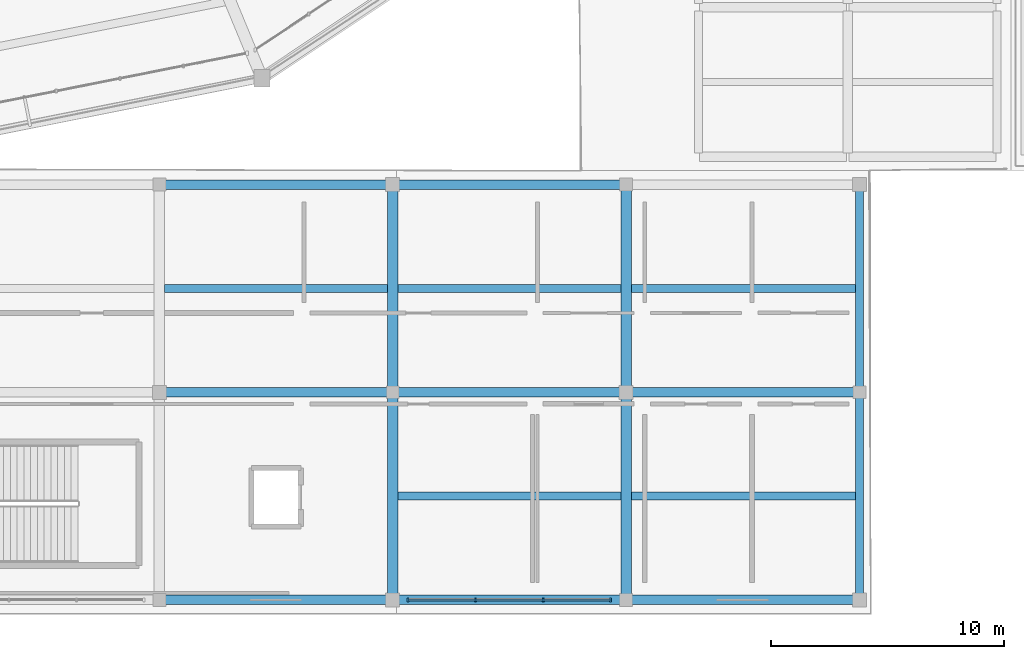
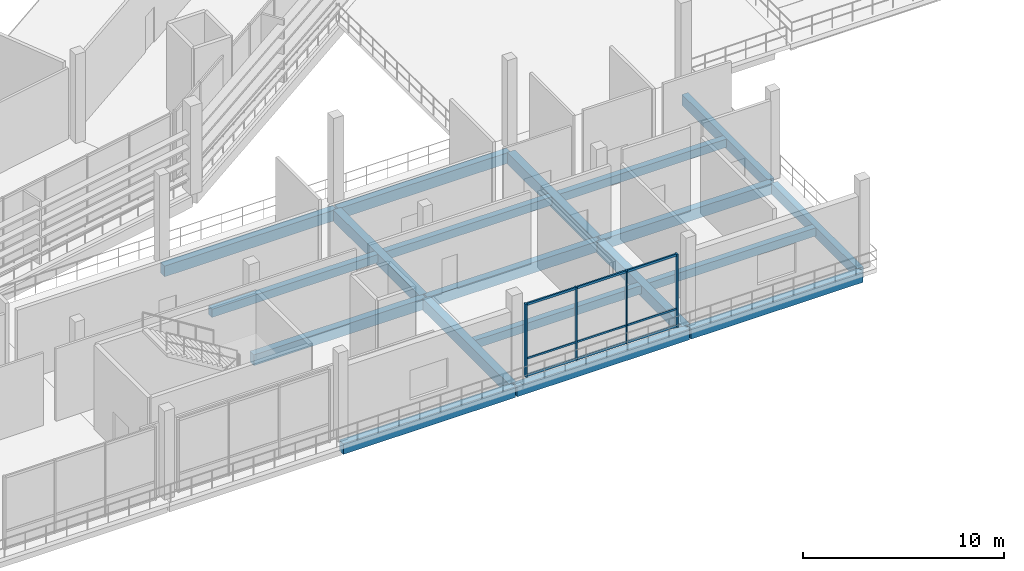
# One storey, part 33 of 111: 19 beams, 7 members, 1 element without a shape of its own.
"""IFC4 building model written with IfcOpenShell, lengths in metres."""

import ifcopenshell
import ifcopenshell.guid

model = None  # the IFC model being written
_history = None  # IfcOwnerHistory: only IFC2X3 demands one
_inside = {}  # id of a spatial element -> (the spatial element, [elements in it])
_under = {}  # id of a project, library or spatial element -> (it, [spatial elements below it])
_declared = {}  # id of a project -> (the project, [libraries it declares])
_typed = {}  # id of a type object -> (the type object, [elements of that type])
_made_of = {}  # id of a material, layer set ... -> (it, [elements and type objects made of it])


def new_model(schema):
    """Start an empty IFC model of exactly this schema.

    Asked for "IFC4X3", IfcOpenShell would pick the latest addendum, in which some entities
    have other attributes; the version numbers below select the first issue.
    IFC2X3 requires an IfcOwnerHistory on every rooted entity: one is made here for all.
    """
    global model, _history
    if schema == "IFC4X3":
        model = ifcopenshell.file(schema_version=(4, 3, 0, 0))
    else:
        model = ifcopenshell.file(schema=schema)
    _inside.clear()
    _under.clear()
    _declared.clear()
    _typed.clear()
    _made_of.clear()
    _history = None
    if model.schema == "IFC2X3":
        org = make("IfcOrganization", Name="unknown")
        user = make(
            "IfcPersonAndOrganization",
            ThePerson=make("IfcPerson", FamilyName="unknown"),
            TheOrganization=org,
        )
        app = make(
            "IfcApplication",
            ApplicationDeveloper=org,
            Version="unknown",
            ApplicationFullName="unknown",
            ApplicationIdentifier="unknown",
        )
        _history = make(
            "IfcOwnerHistory",
            OwningUser=user,
            OwningApplication=app,
            ChangeAction="ADDED",
            CreationDate=0,
        )
    return model


def make(cls, **values):
    """One entity of the class cls with the attributes given. An attribute that is None is left unset."""
    return model.create_entity(
        cls, **{name: value for name, value in values.items() if value is not None}
    )


def rooted(cls, **values):
    """An entity with a GlobalId (a new one), such as an element, a storey or a relation."""
    return make(cls, GlobalId=ifcopenshell.guid.new(), OwnerHistory=_history, **values)


def si_unit(unit_type, name, prefix=None):
    """IfcSIUnit, for example si_unit("LENGTHUNIT", "METRE", prefix="MILLI")."""
    return make("IfcSIUnit", UnitType=unit_type, Prefix=prefix, Name=name)


def assignment(units):
    """IfcUnitAssignment: the units of a project."""
    return None if units is None else make("IfcUnitAssignment", Units=units)


def point(xyz):
    """IfcCartesianPoint."""
    return None if xyz is None else make("IfcCartesianPoint", Coordinates=xyz)


def direction(xyz):
    """IfcDirection."""
    return None if xyz is None else make("IfcDirection", DirectionRatios=xyz)


def frame(location, z_axis=None, x_axis=None):
    """IfcAxis2Placement3D, a coordinate frame: its origin and axes. An axis left out is left unset."""
    return make(
        "IfcAxis2Placement3D",
        Location=point(location),
        Axis=direction(z_axis),
        RefDirection=direction(x_axis),
    )


def frame_2d(location, x_axis=None):
    """IfcAxis2Placement2D, a coordinate frame in the plane: its origin and x axis."""
    return make(
        "IfcAxis2Placement2D", Location=point(location), RefDirection=direction(x_axis)
    )


def origin():
    """The frame at (0, 0, 0) with its axes left unset."""
    return frame((0.0, 0.0, 0.0))


def origin_2d():
    """The frame at (0, 0) in the plane with its x axis left unset."""
    return frame_2d((0.0, 0.0))


def place(relative_to, where):
    """IfcLocalPlacement: puts the frame where relative to a parent placement (None: the world)."""
    return make(
        "IfcLocalPlacement", PlacementRelTo=relative_to, RelativePlacement=where
    )


def context(
    kind, dimensions, precision=None, world=None, true_north=None, identifier=None
):
    """IfcGeometricRepresentationContext, for example the 3D "Model" context."""
    return make(
        "IfcGeometricRepresentationContext",
        ContextIdentifier=identifier,
        ContextType=kind,
        CoordinateSpaceDimension=dimensions,
        Precision=precision,
        WorldCoordinateSystem=world,
        TrueNorth=true_north,
    )


def subcontext(parent, identifier, kind, view, scale=None):
    """IfcGeometricRepresentationSubContext, for example "Body" below "Model"."""
    return make(
        "IfcGeometricRepresentationSubContext",
        ContextIdentifier=identifier,
        ContextType=kind,
        ParentContext=parent,
        TargetScale=scale,
        TargetView=view,
    )


def project(units=None, contexts=None):
    """IfcProject with its units and contexts."""
    return rooted(
        "IfcProject",
        Name="project",
        RepresentationContexts=contexts,
        UnitsInContext=assignment(units),
    )


def spatial(cls, under=None, at=None, **own):
    """A site, building, storey or space (cls), placed at a placement, below another one or the project."""
    s = rooted(cls, ObjectPlacement=at, **own)
    if under is not None:
        _under.setdefault(under.id(), (under, []))[1].append(s)
    return s


def profile(cls, at=None, kind="AREA", **sizes):
    """A parametric profile (cls). Its sizes go by their IFC names, for example OverallWidth=200.0."""
    return make(cls, ProfileType=kind, Position=at, **sizes)


def rectangle(**sizes):
    """IfcRectangleProfileDef."""
    return profile("IfcRectangleProfileDef", **sizes)


def extrude(swept, where, along, depth):
    """IfcExtrudedAreaSolid: the profile swept, set in the frame where, extruded along a direction by depth."""
    return make(
        "IfcExtrudedAreaSolid",
        SweptArea=swept,
        Position=where,
        ExtrudedDirection=direction(along),
        Depth=depth,
    )


def shape(context_of_items, identifier, shape_type, items):
    """IfcShapeRepresentation: the items that make up one representation, for example the "Body"."""
    return make(
        "IfcShapeRepresentation",
        ContextOfItems=context_of_items,
        RepresentationIdentifier=identifier,
        RepresentationType=shape_type,
        Items=items,
    )


def material(Name=None, Category=None):
    """IfcMaterial."""
    return make("IfcMaterial", Name=Name, Category=Category)


def material_profile(
    of_material, cross_section, Name=None, Category=None, Priority=None
):
    """IfcMaterialProfile: a cross section and its material."""
    return make(
        "IfcMaterialProfile",
        Name=Name,
        Material=of_material,
        Profile=cross_section,
        Priority=Priority,
        Category=Category,
    )


def profile_set(profiles, Name=None, composite=None):
    """IfcMaterialProfileSet."""
    return make(
        "IfcMaterialProfileSet",
        Name=Name,
        MaterialProfiles=profiles,
        CompositeProfile=composite,
    )


def made_of(thing, what):
    """Note that an element or type object is made of a material, layer set ...; save() writes the relation."""
    if what is not None:
        _made_of.setdefault(what.id(), (what, []))[1].append(thing)
    return thing


def type_object(cls, material=None, **own):
    """A type object (cls), such as IfcWallType, which elements share."""
    return made_of(rooted(cls, **own), material)


def element(
    cls,
    number,
    at=None,
    inside=None,
    cuts=None,
    type_object=None,
    material=None,
    context=None,
    identifier="Body",
    shape_type=None,
    held_by="IfcProductDefinitionShape",
    body=None,
    shapes=None,
    **own,
):
    """One element of the class cls, such as IfcWall. Its Tag is "e" and its number.

    at: its placement. inside: the storey or other place that contains it. cuts: it is an
    opening in that element (IfcRelVoidsElement). A single representation is given by context,
    identifier, shape_type and body (its items); several are given by shapes. held_by: the class
    of the entity that holds the representations. save() writes the other relations.
    """
    e = rooted(cls, Tag="e%d" % number, ObjectPlacement=at, **own)
    if body is not None:
        shapes = [shape(context, identifier, shape_type, body)]
    if shapes is not None:
        e.Representation = make(held_by, Representations=shapes)
    if inside is not None:
        _inside.setdefault(inside.id(), (inside, []))[1].append(e)
    if cuts is not None:
        rooted(
            "IfcRelVoidsElement", RelatingBuildingElement=cuts, RelatedOpeningElement=e
        )
    if type_object is not None:
        _typed.setdefault(type_object.id(), (type_object, []))[1].append(e)
    return made_of(e, material)


def aggregate(whole, parts):
    """IfcRelAggregates: a whole, such as a stair, and the parts it consists of."""
    return rooted("IfcRelAggregates", RelatingObject=whole, RelatedObjects=parts)


def save(model, path):
    """Write the relations noted so far, then the file.

    IfcRelAggregates (storeys below a building ...), IfcRelContainedInSpatialStructure (elements
    in a storey), IfcRelDefinesByType, IfcRelAssociatesMaterial and IfcRelDeclares: one each for
    every whole, place, type object, material and project.
    """
    for whole, parts in _under.values():
        aggregate(whole, parts)
    for where, things in _inside.values():
        rooted(
            "IfcRelContainedInSpatialStructure",
            RelatedElements=things,
            RelatingStructure=where,
        )
    for kind, things in _typed.values():
        rooted("IfcRelDefinesByType", RelatedObjects=things, RelatingType=kind)
    for what, things in _made_of.values():
        rooted("IfcRelAssociatesMaterial", RelatedObjects=things, RelatingMaterial=what)
    for by, libraries in _declared.values():
        rooted("IfcRelDeclares", RelatingContext=by, RelatedDefinitions=libraries)
    model.write(path)


model = new_model("IFC4")

# Units and contexts
model_context = context("Model", 3, precision=1e-05, world=origin(), true_north=direction((0.0, 1.0)))
body_context = subcontext(model_context, "Body", "Model", "MODEL_VIEW")
ifc_project = project(units=[si_unit("LENGTHUNIT", "METRE"), si_unit("AREAUNIT", "SQUARE_METRE"), si_unit("VOLUMEUNIT", "CUBIC_METRE"), si_unit("PLANEANGLEUNIT", "RADIAN"), si_unit("MASSUNIT", "GRAM", prefix="KILO")], contexts=[model_context])

# Site, building, storey
site_placement = place(None, origin())
site = spatial("IfcSite", under=ifc_project, at=site_placement, CompositionType="ELEMENT")
building_placement = place(site_placement, origin())
building = spatial("IfcBuilding", under=site, at=building_placement, Name="Candeia Ridge Stadium", CompositionType="ELEMENT")
storey_placement = place(building_placement, frame((0.0, 0.0, 16.199951171875)))
storey = spatial("IfcBuildingStorey", under=building, at=storey_placement, Name="L03", CompositionType="ELEMENT", Elevation=16.199951171875)

# Curtain wall, members
ifc_material_1 = material(Name="Aluminium Anodized Warm Bronze", Category="aluminium")
curtain_wall_type = type_object("IfcCurtainWallType", Name="Museum & Boulevard Showcase Curtain Wall", PredefinedType="NOTDEFINED", material=ifc_material_1)
curtain_wall_placement = place(storey_placement, origin())
curtain_wall = element("IfcCurtainWall", 1, at=curtain_wall_placement, inside=storey, type_object=curtain_wall_type, Name="Unitised curtain wall CW-WNG-L03-136", PredefinedType="NOTDEFINED")
ifc_material_profile_1 = material_profile(ifc_material_1, rectangle(XDim=0.090087890625, YDim=0.179931640625, at=origin_2d()), Name="CWM-90x180", Category="aluminium")
ifc_profile_set_1 = profile_set([ifc_material_profile_1], Name="Aluminium Anodized Warm Bronze")
member_type_1 = type_object("IfcMemberType", Name="Curtain Wall Primary Mullion 90x180", PredefinedType="MULLION", material=ifc_profile_set_1)
member_1_placement = place(storey_placement, frame((167.159912109375, 0.60009765625, 0.0), z_axis=(0.0, 0.0, 1.0), x_axis=(1.0, 0.0, 0.0)))
member_1 = element("IfcMember", 2, at=member_1_placement, type_object=member_type_1, Name="Curtain wall mullion CW-WNG-L03-136-M0", PredefinedType="MULLION", context=body_context, shape_type="SweptSolid", body=[
    extrude(rectangle(XDim=0.090087890625, YDim=0.179931640625, at=origin_2d()), origin(), (0.0, 0.0, 1.0), 4.455078125),
])
member_2_placement = place(storey_placement, frame((175.840087890625, 0.60009765625, 0.0), z_axis=(0.0, 0.0, 1.0), x_axis=(1.0, 0.0, 0.0)))
member_2 = element("IfcMember", 3, at=member_2_placement, type_object=member_type_1, Name="Curtain wall mullion CW-WNG-L03-136-M3", PredefinedType="MULLION", context=body_context, shape_type="SweptSolid", body=[
    extrude(rectangle(XDim=0.090087890625, YDim=0.179931640625, at=origin_2d()), origin(), (0.0, 0.0, 1.0), 4.455078125),
])
ifc_material_profile_2 = material_profile(ifc_material_1, rectangle(XDim=0.074951171875, YDim=0.14990234375, at=origin_2d()), Name="CWM-75x150", Category="aluminium")
ifc_profile_set_2 = profile_set([ifc_material_profile_2], Name="Aluminium Anodized Warm Bronze")
member_type_2 = type_object("IfcMemberType", Name="Curtain Wall Secondary Mullion 75x150", PredefinedType="MULLION", material=ifc_profile_set_2)
member_3_placement = place(storey_placement, frame((170.05322265625, 0.60009765625, 0.0), z_axis=(0.0, 0.0, 1.0), x_axis=(1.0, 0.0, 0.0)))
member_3 = element("IfcMember", 4, at=member_3_placement, type_object=member_type_2, Name="Curtain wall mullion CW-WNG-L03-136-M1", PredefinedType="MULLION", context=body_context, shape_type="SweptSolid", body=[
    extrude(rectangle(XDim=0.074951171875, YDim=0.14990234375, at=origin_2d()), origin(), (0.0, 0.0, 1.0), 4.455078125),
])
member_4_placement = place(storey_placement, frame((172.94677734375, 0.60009765625, 0.0), z_axis=(0.0, 0.0, 1.0), x_axis=(1.0, 0.0, 0.0)))
member_4 = element("IfcMember", 5, at=member_4_placement, type_object=member_type_2, Name="Curtain wall mullion CW-WNG-L03-136-M2", PredefinedType="MULLION", context=body_context, shape_type="SweptSolid", body=[
    extrude(rectangle(XDim=0.074951171875, YDim=0.14990234375, at=origin_2d()), origin(), (0.0, 0.0, 1.0), 4.455078125),
])
ifc_material_profile_3 = material_profile(ifc_material_1, rectangle(XDim=0.074951171875, YDim=0.110107421875, at=origin_2d()), Name="CWT-75x110", Category="aluminium")
ifc_profile_set_3 = profile_set([ifc_material_profile_3], Name="Aluminium Anodized Warm Bronze")
member_type_3 = type_object("IfcMemberType", Name="Curtain Wall Secondary Transom 75x110", PredefinedType="USERDEFINED", material=ifc_profile_set_3)
member_5_placement = place(storey_placement, frame((167.159912109375, 0.60009765625, 1.10009765625), z_axis=(1.0, 0.0, 0.0), x_axis=(0.0, 1.0, 0.0)))
member_5 = element("IfcMember", 6, at=member_5_placement, type_object=member_type_3, Name="Curtain wall transom CW-WNG-L03-136-T1", ObjectType="TRANSOM", PredefinedType="USERDEFINED", context=body_context, shape_type="SweptSolid", body=[
    extrude(rectangle(XDim=0.074951171875, YDim=0.110107421875, at=origin_2d()), origin(), (0.0, 0.0, 1.0), 8.68017578125),
])
ifc_material_profile_4 = material_profile(ifc_material_1, rectangle(XDim=0.090087890625, YDim=0.139892578125, at=origin_2d()), Name="CWT-90x140", Category="aluminium")
ifc_profile_set_4 = profile_set([ifc_material_profile_4], Name="Aluminium Anodized Warm Bronze")
member_type_4 = type_object("IfcMemberType", Name="Curtain Wall Transom 90x140", PredefinedType="USERDEFINED", material=ifc_profile_set_4)
member_6_placement = place(storey_placement, frame((167.159912109375, 0.60009765625, 0.070068359375), z_axis=(1.0, 0.0, 0.0), x_axis=(0.0, 1.0, 0.0)))
member_6 = element("IfcMember", 7, at=member_6_placement, type_object=member_type_4, Name="Curtain wall transom CW-WNG-L03-136-T0", ObjectType="TRANSOM", PredefinedType="USERDEFINED", context=body_context, shape_type="SweptSolid", body=[
    extrude(rectangle(XDim=0.090087890625, YDim=0.139892578125, at=origin_2d()), origin(), (0.0, 0.0, 1.0), 8.68017578125),
])
member_7_placement = place(storey_placement, frame((167.159912109375, 0.60009765625, 4.385009765625), z_axis=(1.0, 0.0, 0.0), x_axis=(0.0, 1.0, 0.0)))
member_7 = element("IfcMember", 8, at=member_7_placement, type_object=member_type_4, Name="Curtain wall transom CW-WNG-L03-136-T2", ObjectType="TRANSOM", PredefinedType="USERDEFINED", context=body_context, shape_type="SweptSolid", body=[
    extrude(rectangle(XDim=0.090087890625, YDim=0.139892578125, at=origin_2d()), origin(), (0.0, 0.0, 1.0), 8.68017578125),
])
aggregate(curtain_wall, [member_1, member_3, member_4, member_2, member_6, member_5, member_7])

# Beams
ifc_material_2 = material(Name="Concrete C40/50", Category="concrete")
ifc_material_profile_5 = material_profile(ifc_material_2, rectangle(XDim=0.35009765625, YDim=0.5, at=origin_2d()), Name="RC350x500", Category="concrete")
ifc_profile_set_5 = profile_set([ifc_material_profile_5], Name="Concrete C40/50")
beam_type_1 = type_object("IfcBeamType", Name="Floor Joist RC350x500", PredefinedType="JOIST", material=ifc_profile_set_5)
for number, where, z_axis, x_axis, name in (
    (9, (156.724609375, 13.949951171875, -0.5), (1.0, 0.0, 0.0), (0.0, 1.0, 0.0), "Wing secondary joist BM-L03-2346"),
    (10, (166.724609375, 5.050048828125, -0.5), (1.0, 0.0, 0.0), (0.0, 1.0, 0.0), "Wing secondary joist BM-L03-2349"),
    (11, (166.724609375, 13.949951171875, -0.5), (1.0, 0.0, 0.0), (0.0, 1.0, 0.0), "Wing secondary joist BM-L03-2351"),
):
    element("IfcBeam", number, at=place(storey_placement, frame(where, z_axis=z_axis, x_axis=x_axis)), inside=storey, type_object=beam_type_1, Name=name, PredefinedType="JOIST", context=body_context, shape_type="SweptSolid", body=[
        extrude(rectangle(XDim=0.35009765625, YDim=0.5, at=origin_2d()), origin(), (0.0, 0.0, 1.0), 9.55078125),
    ])
for number, where, z_axis, x_axis, name in (
    (12, (176.724609375, 5.050048828125, -0.5), (1.0, 0.0, 0.0), (0.0, 1.0, 0.0), "Wing secondary joist BM-L03-2354"),
    (13, (176.724609375, 13.949951171875, -0.5), (1.0, 0.0, 0.0), (0.0, 1.0, 0.0), "Wing secondary joist BM-L03-2356"),
):
    element("IfcBeam", number, at=place(storey_placement, frame(where, z_axis=z_axis, x_axis=x_axis)), inside=storey, type_object=beam_type_1, Name=name, PredefinedType="JOIST", context=body_context, shape_type="SweptSolid", body=[
        extrude(rectangle(XDim=0.35009765625, YDim=0.5, at=origin_2d()), origin(), (0.0, 0.0, 1.0), 9.600830078125),
    ])
ifc_material_profile_6 = material_profile(ifc_material_2, rectangle(XDim=0.449951171875, YDim=0.699951171875, at=origin_2d()), Name="RC450x700", Category="concrete")
ifc_profile_set_6 = profile_set([ifc_material_profile_6], Name="Concrete C40/50")
beam_type_2 = type_object("IfcBeamType", Name="Frame Girder RC450x700", PredefinedType="BEAM", material=ifc_profile_set_6)
for number, where, z_axis, x_axis, name in (
    (14, (166.5, 0.760009765625, -0.599853515625), (0.0, 1.0, 0.0), (-1.0, 0.0, 0.0), "Structural girder BM-L03-2325"),
    (15, (166.5, 9.659912109375, -0.599853515625), (0.0, 1.0, 0.0), (-1.0, 0.0, 0.0), "Structural girder BM-L03-2326"),
    (16, (176.5, 0.760009765625, -0.599853515625), (0.0, 1.0, 0.0), (-1.0, 0.0, 0.0), "Structural girder BM-L03-2327"),
    (17, (176.5, 9.659912109375, -0.599853515625), (0.0, 1.0, 0.0), (-1.0, 0.0, 0.0), "Structural girder BM-L03-2328"),
):
    element("IfcBeam", number, at=place(storey_placement, frame(where, z_axis=z_axis, x_axis=x_axis)), inside=storey, type_object=beam_type_2, Name=name, PredefinedType="BEAM", context=body_context, shape_type="SweptSolid", body=[
        extrude(rectangle(XDim=0.449951171875, YDim=0.699951171875, at=origin_2d()), origin(), (0.0, 0.0, 1.0), 8.580078125),
    ])
ifc_material_profile_7 = material_profile(ifc_material_2, rectangle(XDim=0.35009765625, YDim=0.64990234375, at=origin_2d()), Name="RC350x650", Category="concrete")
ifc_profile_set_7 = profile_set([ifc_material_profile_7], Name="Concrete C40/50")
beam_type_3 = type_object("IfcBeamType", Name="Spandrel Beam RC350x650", PredefinedType="SPANDREL", material=ifc_profile_set_7)
for number, where, z_axis, x_axis, name in (
    (18, (186.5, 0.760009765625, -0.574951171875), (0.0, 1.0, 0.0), (-1.0, 0.0, 0.0), "Structural girder BM-L03-2329"),
    (19, (186.5, 9.659912109375, -0.574951171875), (0.0, 1.0, 0.0), (-1.0, 0.0, 0.0), "Structural girder BM-L03-2330"),
):
    element("IfcBeam", number, at=place(storey_placement, frame(where, z_axis=z_axis, x_axis=x_axis)), inside=storey, type_object=beam_type_3, Name=name, PredefinedType="SPANDREL", context=body_context, shape_type="SweptSolid", body=[
        extrude(rectangle(XDim=0.35009765625, YDim=0.64990234375, at=origin_2d()), origin(), (0.0, 0.0, 1.0), 8.580078125),
    ])
ifc_material_profile_8 = material_profile(ifc_material_2, rectangle(XDim=0.39990234375, YDim=0.64990234375, at=origin_2d()), Name="RC400x650", Category="concrete")
ifc_profile_set_8 = profile_set([ifc_material_profile_8], Name="Concrete C40/50")
beam_type_4 = type_object("IfcBeamType", Name="Wing Primary Girder RC400x650", PredefinedType="BEAM", material=ifc_profile_set_8)
for number, where, z_axis, x_axis, name in (
    (20, (156.550048828125, 0.60009765625, -0.574951171875), (1.0, 0.0, 0.0), (0.0, 1.0, 0.0), "Structural girder BM-L03-2344"),
    (21, (156.550048828125, 9.5, -0.574951171875), (1.0, 0.0, 0.0), (0.0, 1.0, 0.0), "Structural girder BM-L03-2345"),
    (22, (156.550048828125, 18.39990234375, -0.574951171875), (1.0, 0.0, 0.0), (0.0, 1.0, 0.0), "Structural girder BM-L03-2347"),
    (23, (166.550048828125, 0.60009765625, -0.574951171875), (1.0, 0.0, 0.0), (0.0, 1.0, 0.0), "Structural girder BM-L03-2348"),
    (24, (166.550048828125, 9.5, -0.574951171875), (1.0, 0.0, 0.0), (0.0, 1.0, 0.0), "Structural girder BM-L03-2350"),
    (25, (166.550048828125, 18.39990234375, -0.574951171875), (1.0, 0.0, 0.0), (0.0, 1.0, 0.0), "Structural girder BM-L03-2352"),
    (26, (176.550048828125, 0.60009765625, -0.574951171875), (1.0, 0.0, 0.0), (0.0, 1.0, 0.0), "Structural girder BM-L03-2353"),
    (27, (176.550048828125, 9.5, -0.574951171875), (1.0, 0.0, 0.0), (0.0, 1.0, 0.0), "Structural girder BM-L03-2355"),
):
    element("IfcBeam", number, at=place(storey_placement, frame(where, z_axis=z_axis, x_axis=x_axis)), inside=storey, type_object=beam_type_4, Name=name, PredefinedType="BEAM", context=body_context, shape_type="SweptSolid", body=[
        extrude(rectangle(XDim=0.39990234375, YDim=0.64990234375, at=origin_2d()), origin(), (0.0, 0.0, 1.0), 9.89990234375),
    ])

save(model, "model.ifc")
